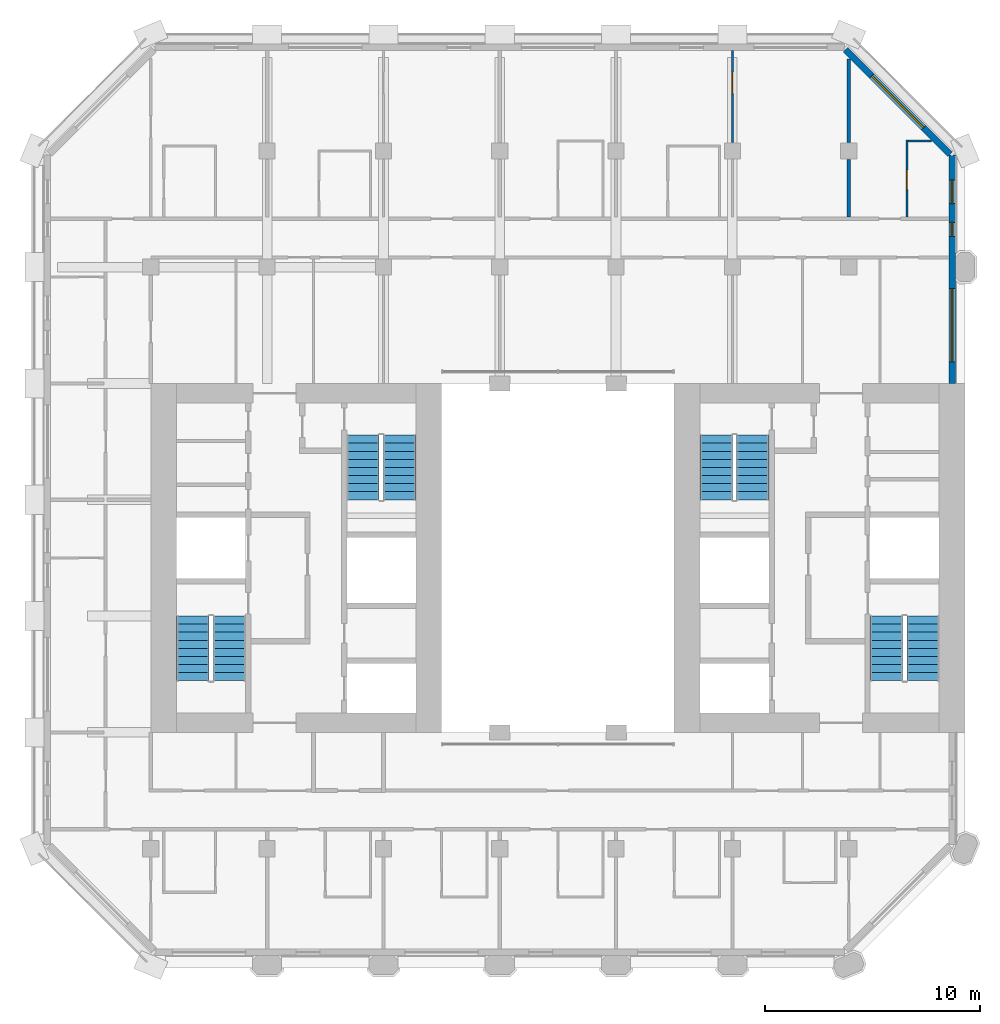
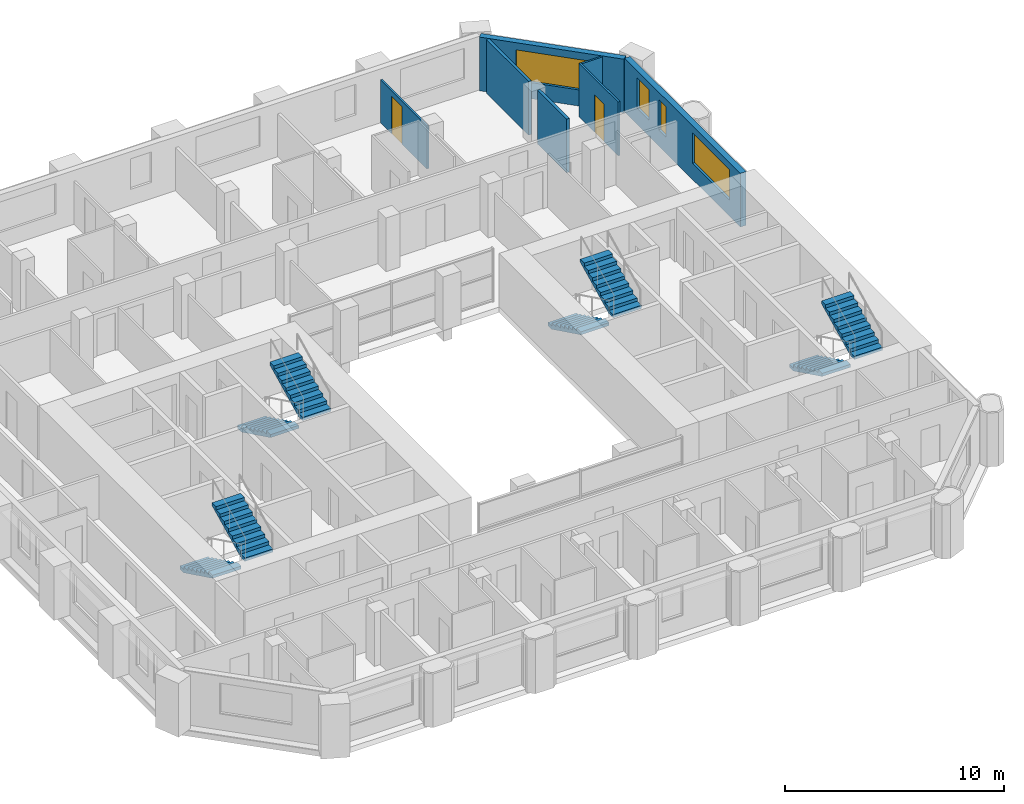
# One storey, part 11 of 14: 8 stair flights, 7 walls, 4 windows, 2 doors, 6 openings, 4 elements without a shape of their own.
"""IFC4 building model written with IfcOpenShell, lengths in metres."""

from ifc_helpers import new_model, si_unit, direction, frame, frame_2d, origin, place, context, subcontext, project, spatial, polyline, rectangle, outline, extrude, material, layer, layer_set, type_object, element, fill, aggregate, save


model = new_model("IFC4")

# Units and contexts
model_context = context("Model", 3, precision=1e-05, world=origin(), true_north=direction((0.0, 1.0)))
body_context = subcontext(model_context, "Body", "Model", "MODEL_VIEW")
ifc_project = project(units=[si_unit("LENGTHUNIT", "METRE"), si_unit("AREAUNIT", "SQUARE_METRE"), si_unit("VOLUMEUNIT", "CUBIC_METRE"), si_unit("PLANEANGLEUNIT", "RADIAN"), si_unit("MASSUNIT", "GRAM", prefix="KILO")], contexts=[model_context])

# Site, building, storey
site_placement = place(None, origin())
site = spatial("IfcSite", under=ifc_project, at=site_placement, CompositionType="ELEMENT")
building_placement = place(site_placement, origin())
building = spatial("IfcBuilding", under=site, at=building_placement, Name="Tabaq Tower and Sports Hall", CompositionType="ELEMENT")
storey_placement = place(building_placement, frame((0.0, 0.0, 213.699951171875)))
storey = spatial("IfcBuildingStorey", under=building, at=storey_placement, Name="L53", CompositionType="ELEMENT", Elevation=213.699951171875)

# Wall, opening, door
ifc_material_1 = material(Name="Gypsum board on steel studs", Category="steel")
ifc_layer_1 = layer(ifc_material_1, 0.10009765625)
ifc_layer_set_1 = layer_set([ifc_layer_1], Name="Partition 100 Gypsum board")
wall_type_1 = type_object("IfcWallType", Name="Partition 100 Gypsum board", PredefinedType="PARTITIONING", material=ifc_layer_set_1)
wall_1_placement = place(storey_placement, frame((40.5, 40.125, 0.0), z_axis=(0.0, 0.0, 1.0), x_axis=(0.0, 1.0, 0.0)))
wall_1 = element("IfcWall", 1, at=wall_1_placement, inside=storey, type_object=wall_type_1, Name="Partition wall L53", PredefinedType="PARTITIONING", context=body_context, shape_type="SweptSolid", body=[
    extrude(rectangle(XDim=3.574951171875, YDim=0.10009765625, at=frame_2d((1.78759765625, 0.0))), origin(), (0.0, 0.0, 1.0), 3.0),
])
opening_1_placement = place(wall_1_placement, frame((1.27490234375, 0.0, 0.0)))
opening_1 = element("IfcOpeningElement", 2, at=opening_1_placement, cuts=wall_1, Name="Opening L53-002", PredefinedType="OPENING", context=body_context, shape_type="SweptSolid", body=[
    extrude(rectangle(XDim=0.89990234375, YDim=2.10009765625, at=frame_2d((0.449951171875, 1.050048828125))), frame((0.0, 0.050048828125, 0.0), z_axis=(0.0, -1.0, 0.0), x_axis=(1.0, 0.0, 0.0)), (0.0, 0.0, 1.0), 0.10009765625),
])
ifc_material_2 = material(Name="Timber leaf in steel frame", Category="steel")
door_type_1 = type_object("IfcDoorType", Name="Internal door 900 right hand", OperationType="SINGLE_SWING_RIGHT", PredefinedType="DOOR", material=ifc_material_2)
door_1_placement = place(opening_1_placement, origin())
door_1 = element("IfcDoor", 3, at=door_1_placement, inside=storey, type_object=door_type_1, Name="Internal door L53-002", OperationType="SINGLE_SWING_RIGHT", OverallHeight=2.10009765625, OverallWidth=0.89990234375, PredefinedType="DOOR", context=body_context, shape_type="SweptSolid", body=[
    extrude(rectangle(XDim=0.89990234375, YDim=2.10009765625, at=frame_2d((0.449951171875, 1.050048828125))), frame((0.0, 0.02490234375, 0.0), z_axis=(0.0, -1.0, 0.0), x_axis=(1.0, 0.0, 0.0)), (0.0, 0.0, 1.0), 0.050048828125),
])
fill(opening_1, door_1)

# Wall
wall_2_placement = place(storey_placement, frame((40.550048828125, 43.64990234375, 0.0), z_axis=(0.0, 0.0, 1.0), x_axis=(1.0, 0.0, 0.0)))
element("IfcWall", 4, at=wall_2_placement, inside=storey, type_object=wall_type_1, Name="Partition wall L53", PredefinedType="PARTITIONING", context=body_context, shape_type="SweptSolid", body=[
    extrude(rectangle(XDim=1.087890625, YDim=0.10009765625, at=frame_2d((0.5439453125, 0.0))), origin(), (0.0, 0.0, 1.0), 3.0),
])

# Wall, opening, door
wall_3_placement = place(storey_placement, frame((32.39990234375, 43.594970703125, 0.0), z_axis=(0.0, 0.0, 1.0), x_axis=(0.0, 1.0, 0.0)))
wall_3 = element("IfcWall", 5, at=wall_3_placement, inside=storey, type_object=wall_type_1, Name="Partition wall L53", PredefinedType="PARTITIONING", context=body_context, shape_type="SweptSolid", body=[
    extrude(rectangle(XDim=4.254150390625, YDim=0.10009765625, at=frame_2d((2.126953125, 0.0))), origin(), (0.0, 0.0, 1.0), 2.400146484375),
])
opening_2_placement = place(wall_3_placement, frame((2.257080078125, 0.0, 0.0)))
opening_2 = element("IfcOpeningElement", 6, at=opening_2_placement, cuts=wall_3, Name="Opening L53-029", PredefinedType="OPENING", context=body_context, shape_type="SweptSolid", body=[
    extrude(rectangle(XDim=1.0, YDim=2.10009765625, at=frame_2d((0.5, 1.050048828125))), frame((0.0, 0.050048828125, 0.0), z_axis=(0.0, -1.0, 0.0), x_axis=(1.0, 0.0, 0.0)), (0.0, 0.0, 1.0), 0.10009765625),
])
ifc_material_3 = material(Name="Timber leaf in steel frame", Category="steel")
door_type_2 = type_object("IfcDoorType", Name="Internal door 1000 right hand", OperationType="SINGLE_SWING_RIGHT", PredefinedType="DOOR", material=ifc_material_3)
door_2_placement = place(opening_2_placement, origin())
door_2 = element("IfcDoor", 7, at=door_2_placement, inside=storey, type_object=door_type_2, Name="Internal door L53-029", OperationType="SINGLE_SWING_RIGHT", OverallHeight=2.10009765625, OverallWidth=1.0, PredefinedType="DOOR", context=body_context, shape_type="SweptSolid", body=[
    extrude(rectangle(XDim=1.0, YDim=2.10009765625, at=frame_2d((0.5, 1.050048828125))), frame((0.0, 0.02490234375, 0.0), z_axis=(0.0, -1.0, 0.0), x_axis=(1.0, 0.0, 0.0)), (0.0, 0.0, 1.0), 0.050048828125),
])
fill(opening_2, door_2)

# Walls
ifc_material_4 = material(Name="Blockwork", Category="masonry")
ifc_layer_2 = layer(ifc_material_4, 0.14990234375)
ifc_layer_set_2 = layer_set([ifc_layer_2], Name="Separating wall 150 Blockwork")
wall_type_2 = type_object("IfcWallType", Name="Separating wall 150 Blockwork", PredefinedType="PARTITIONING", material=ifc_layer_set_2)
wall_4_placement = place(storey_placement, frame((37.800048828125, 47.462890625, 0.0), z_axis=(0.0, 0.0, 1.0), x_axis=(0.0, -1.0, 0.0)))
element("IfcWall", 8, at=wall_4_placement, inside=storey, type_object=wall_type_2, Name="Separating wall L53", PredefinedType="PARTITIONING", context=body_context, shape_type="SweptSolid", body=[
    extrude(rectangle(XDim=3.867919921875, YDim=0.14990234375, at=frame_2d((1.93408203125, 0.0))), origin(), (0.0, 0.0, 1.0), 3.0),
])
wall_5_placement = place(storey_placement, frame((37.800048828125, 42.804931640625, 0.0), z_axis=(0.0, 0.0, 1.0), x_axis=(0.0, -1.0, 0.0)))
element("IfcWall", 9, at=wall_5_placement, inside=storey, type_object=wall_type_2, Name="Separating wall L53", PredefinedType="PARTITIONING", context=body_context, shape_type="SweptSolid", body=[
    extrude(rectangle(XDim=2.679931640625, YDim=0.14990234375, at=frame_2d((1.33984375, 0.0))), origin(), (0.0, 0.0, 1.0), 3.0),
])

# Wall, openings, windows
ifc_material_5 = material(Name="White precast concrete C60/75", Category="concrete")
ifc_layer_3 = layer(ifc_material_5, 0.300048828125)
ifc_layer_set_3 = layer_set([ifc_layer_3], Name="White precast concrete C60/75 external wall 300")
wall_type_3 = type_object("IfcWallType", Name="White precast concrete C60/75 external wall 300", PredefinedType="SOLIDWALL", material=ifc_layer_set_3)
wall_6_placement = place(storey_placement, frame((42.60009765625, 32.39990234375, 0.0), z_axis=(0.0, 0.0, 1.0), x_axis=(0.0, 1.0, 0.0)))
wall_6 = element("IfcWall", 10, at=wall_6_placement, inside=storey, type_object=wall_type_3, Name="External Wall L53 E", PredefinedType="SOLIDWALL", context=body_context, shape_type="SweptSolid", body=[
    extrude(rectangle(XDim=10.61376953125, YDim=0.300048828125, at=frame_2d((5.306884765625, 0.0))), origin(), (0.0, 0.0, 1.0), 3.0),
])
opening_3_placement = place(wall_6_placement, frame((1.0, 0.0, 0.89990234375)))
opening_3 = element("IfcOpeningElement", 11, at=opening_3_placement, cuts=wall_6, Name="Opening W1A", PredefinedType="OPENING", context=body_context, shape_type="SweptSolid", body=[
    extrude(rectangle(XDim=3.39990234375, YDim=1.699951171875, at=frame_2d((1.699951171875, 0.85009765625))), frame((0.0, 0.16015625, 0.0), z_axis=(0.0, -1.0, 0.0), x_axis=(1.0, 0.0, 0.0)), (0.0, 0.0, 1.0), 0.320068359375),
])
opening_4_placement = place(wall_6_placement, frame((6.824951171875, 0.0, 0.89990234375)))
opening_4 = element("IfcOpeningElement", 12, at=opening_4_placement, cuts=wall_6, Name="Opening W1C", PredefinedType="OPENING", context=body_context, shape_type="SweptSolid", body=[
    extrude(rectangle(XDim=0.64990234375, YDim=1.699951171875, at=frame_2d((0.324951171875, 0.85009765625))), frame((0.0, 0.16015625, 0.0), z_axis=(0.0, -1.0, 0.0), x_axis=(1.0, 0.0, 0.0)), (0.0, 0.0, 1.0), 0.320068359375),
])
opening_5_placement = place(wall_6_placement, frame((8.35009765625, 0.0, 0.89990234375)))
opening_5 = element("IfcOpeningElement", 13, at=opening_5_placement, cuts=wall_6, Name="Opening W1B", PredefinedType="OPENING", context=body_context, shape_type="SweptSolid", body=[
    extrude(rectangle(XDim=1.10009765625, YDim=1.699951171875, at=frame_2d((0.550048828125, 0.85009765625))), frame((0.0, 0.16015625, 0.0), z_axis=(0.0, -1.0, 0.0), x_axis=(1.0, 0.0, 0.0)), (0.0, 0.0, 1.0), 0.320068359375),
])
ifc_material_6 = material(Name="Aluminium framed clear glazing", Category="aluminium")
window_type_1 = type_object("IfcWindowType", Name="Window W1A", PartitioningType="SINGLE_PANEL", PredefinedType="WINDOW", material=ifc_material_6)
window_1_placement = place(opening_3_placement, origin())
window_1 = element("IfcWindow", 14, at=window_1_placement, inside=storey, type_object=window_type_1, Name="Window W1A L53", OverallHeight=1.699951171875, OverallWidth=3.39990234375, PartitioningType="SINGLE_PANEL", PredefinedType="WINDOW", context=body_context, shape_type="SweptSolid", body=[
    extrude(rectangle(XDim=3.39990234375, YDim=1.699951171875, at=frame_2d((1.699951171875, 0.85009765625))), frame((0.0, 0.030029296875, 0.0), z_axis=(0.0, -1.0, 0.0), x_axis=(1.0, 0.0, 0.0)), (0.0, 0.0, 1.0), 0.06005859375),
])
fill(opening_3, window_1)
ifc_material_7 = material(Name="Aluminium framed clear glazing", Category="aluminium")
window_type_2 = type_object("IfcWindowType", Name="Window W1B", PartitioningType="SINGLE_PANEL", PredefinedType="WINDOW", material=ifc_material_7)
window_2_placement = place(opening_5_placement, origin())
window_2 = element("IfcWindow", 15, at=window_2_placement, inside=storey, type_object=window_type_2, Name="Window W1B L53", OverallHeight=1.699951171875, OverallWidth=1.10009765625, PartitioningType="SINGLE_PANEL", PredefinedType="WINDOW", context=body_context, shape_type="SweptSolid", body=[
    extrude(rectangle(XDim=1.10009765625, YDim=1.699951171875, at=frame_2d((0.550048828125, 0.85009765625))), frame((0.0, 0.030029296875, 0.0), z_axis=(0.0, -1.0, 0.0), x_axis=(1.0, 0.0, 0.0)), (0.0, 0.0, 1.0), 0.06005859375),
])
fill(opening_5, window_2)
ifc_material_8 = material(Name="Aluminium framed clear glazing", Category="aluminium")
window_type_3 = type_object("IfcWindowType", Name="Window W1C", PartitioningType="SINGLE_PANEL", PredefinedType="WINDOW", material=ifc_material_8)
window_3_placement = place(opening_4_placement, origin())
window_3 = element("IfcWindow", 16, at=window_3_placement, inside=storey, type_object=window_type_3, Name="Window W1C L53", OverallHeight=1.699951171875, OverallWidth=0.64990234375, PartitioningType="SINGLE_PANEL", PredefinedType="WINDOW", context=body_context, shape_type="SweptSolid", body=[
    extrude(rectangle(XDim=0.64990234375, YDim=1.699951171875, at=frame_2d((0.324951171875, 0.85009765625))), frame((0.0, 0.030029296875, 0.0), z_axis=(0.0, -1.0, 0.0), x_axis=(1.0, 0.0, 0.0)), (0.0, 0.0, 1.0), 0.06005859375),
])
fill(opening_4, window_3)

# Wall, opening, window
wall_7_placement = place(storey_placement, frame((42.5009765625, 43.050537109375, 0.0), z_axis=(0.0, 0.0, 1.0), x_axis=(-0.707106781187, 0.707106781187, 0.0)))
wall_7 = element("IfcWall", 17, at=wall_7_placement, inside=storey, type_object=wall_type_3, Name="External Wall L53 NE", PredefinedType="SOLIDWALL", context=body_context, shape_type="SweptSolid", body=[
    extrude(rectangle(XDim=6.85986328125, YDim=0.300048828125, at=frame_2d((3.429931640625, 0.0))), origin(), (0.0, 0.0, 1.0), 3.0),
])
opening_6_placement = place(wall_7_placement, frame((1.729736328125, 0.0, 0.89990234375)))
opening_6 = element("IfcOpeningElement", 18, at=opening_6_placement, cuts=wall_7, Name="Opening W1A", PredefinedType="OPENING", context=body_context, shape_type="SweptSolid", body=[
    extrude(rectangle(XDim=3.39990234375, YDim=1.699951171875, at=frame_2d((1.699951171875, 0.85009765625))), frame((0.0, 0.16015625, 0.0), z_axis=(0.0, -1.0, 0.0), x_axis=(1.0, 0.0, 0.0)), (0.0, 0.0, 1.0), 0.320068359375),
])
window_4_placement = place(opening_6_placement, origin())
window_4 = element("IfcWindow", 19, at=window_4_placement, inside=storey, type_object=window_type_1, Name="Window W1A L53", OverallHeight=1.699951171875, OverallWidth=3.39990234375, PartitioningType="SINGLE_PANEL", PredefinedType="WINDOW", context=body_context, shape_type="SweptSolid", body=[
    extrude(rectangle(XDim=3.39990234375, YDim=1.699951171875, at=frame_2d((1.699951171875, 0.85009765625))), frame((0.0, 0.030029296875, 0.0), z_axis=(0.0, -1.0, 0.0), x_axis=(1.0, 0.0, 0.0)), (0.0, 0.0, 1.0), 0.06005859375),
])
fill(opening_6, window_4)

# Stair, stair flights
ifc_material_9 = material(Name="Concrete C40/50", Category="concrete")
stair_type = type_object("IfcStairType", Name="Exit stair", PredefinedType="HALF_TURN_STAIR", material=ifc_material_9)
stair_1_placement = place(storey_placement, origin())
stair_1 = element("IfcStair", 20, at=stair_1_placement, inside=storey, type_object=stair_type, Name="L53 Exit stair ST1", PredefinedType="HALF_TURN_STAIR")
ifc_material_10 = material(Name="Concrete C40/50", Category="concrete")
stair_flight_type = type_object("IfcStairFlightType", Name="Exit stair flight", PredefinedType="STRAIGHT", material=ifc_material_10)
stair_flight_1_placement = place(storey_placement, frame((7.35009765625, 21.60009765625, 0.0), z_axis=(0.0, 0.0, 1.0), x_axis=(0.0, -1.0, 0.0)))
stair_flight_1 = element("IfcStairFlight", 21, at=stair_flight_1_placement, type_object=stair_flight_type, Name="ST1 flight 1", NumberOfRisers=9, NumberOfTreads=8, PredefinedType="STRAIGHT", RiserHeight=0.183333333, TreadLength=0.375, context=body_context, shape_type="SweptSolid", body=[
    extrude(outline(polyline([(0.0, 0.0), (0.0, 0.183349609375), (0.375, 0.183349609375), (0.375, 0.36669921875), (0.75, 0.36669921875), (0.75, 0.550048828125), (1.125, 0.550048828125), (1.125, 0.7333984375), (1.5, 0.7333984375), (1.5, 0.916748046875), (1.875, 0.916748046875), (1.875, 1.10009765625), (2.25, 1.10009765625), (2.25, 1.283447265625), (2.625, 1.283447265625), (2.625, 1.466552734375), (3.0, 1.466552734375), (3.0, 1.64990234375), (3.0, 1.2998046875), (0.34130859375, 0.0), (0.0, 0.0)])), frame((0.0, 0.75, 0.0), z_axis=(0.0, -1.0, 0.0), x_axis=(1.0, 0.0, 0.0)), (0.0, 0.0, 1.0), 1.5),
])
stair_flight_2_placement = place(storey_placement, frame((9.050048828125, 18.60009765625, 1.650146484375), z_axis=(0.0, 0.0, 1.0), x_axis=(0.0, 1.0, 0.0)))
stair_flight_2 = element("IfcStairFlight", 22, at=stair_flight_2_placement, type_object=stair_flight_type, Name="ST1 flight 2", NumberOfRisers=9, NumberOfTreads=8, PredefinedType="STRAIGHT", RiserHeight=0.183333333, TreadLength=0.375, context=body_context, shape_type="SweptSolid", body=[
    extrude(outline(polyline([(0.0, 0.0), (0.0, 0.183349609375), (0.375, 0.183349609375), (0.375, 0.36669921875), (0.75, 0.36669921875), (0.75, 0.550048828125), (1.125, 0.550048828125), (1.125, 0.7333984375), (1.5, 0.7333984375), (1.5, 0.916748046875), (1.875, 0.916748046875), (1.875, 1.10009765625), (2.25, 1.10009765625), (2.25, 1.283447265625), (2.625, 1.283447265625), (2.625, 1.466552734375), (3.0, 1.466552734375), (3.0, 1.64990234375), (3.0, 1.2998046875), (0.34130859375, 0.0), (0.0, 0.0)])), frame((0.0, 0.75, 0.0), z_axis=(0.0, -1.0, 0.0), x_axis=(1.0, 0.0, 0.0)), (0.0, 0.0, 1.0), 1.5),
])
aggregate(stair_1, [stair_flight_1, stair_flight_2])

stair_2_placement = place(storey_placement, origin())
stair_2 = element("IfcStair", 23, at=stair_2_placement, inside=storey, type_object=stair_type, Name="L53 Exit stair ST2", PredefinedType="HALF_TURN_STAIR")
stair_flight_3_placement = place(storey_placement, frame((15.25, 30.0, 0.0), z_axis=(0.0, 0.0, 1.0), x_axis=(0.0, -1.0, 0.0)))
stair_flight_3 = element("IfcStairFlight", 24, at=stair_flight_3_placement, type_object=stair_flight_type, Name="ST2 flight 1", NumberOfRisers=9, NumberOfTreads=8, PredefinedType="STRAIGHT", RiserHeight=0.183333333, TreadLength=0.375, context=body_context, shape_type="SweptSolid", body=[
    extrude(outline(polyline([(0.0, 0.0), (0.0, 0.183349609375), (0.375, 0.183349609375), (0.375, 0.36669921875), (0.75, 0.36669921875), (0.75, 0.550048828125), (1.125, 0.550048828125), (1.125, 0.7333984375), (1.5, 0.7333984375), (1.5, 0.916748046875), (1.875, 0.916748046875), (1.875, 1.10009765625), (2.25, 1.10009765625), (2.25, 1.283447265625), (2.625, 1.283447265625), (2.625, 1.466552734375), (3.0, 1.466552734375), (3.0, 1.64990234375), (3.0, 1.2998046875), (0.34130859375, 0.0), (0.0, 0.0)])), frame((0.0, 0.75, 0.0), z_axis=(0.0, -1.0, 0.0), x_axis=(1.0, 0.0, 0.0)), (0.0, 0.0, 1.0), 1.5),
])
stair_flight_4_placement = place(storey_placement, frame((16.949951171875, 27.0, 1.650146484375), z_axis=(0.0, 0.0, 1.0), x_axis=(0.0, 1.0, 0.0)))
stair_flight_4 = element("IfcStairFlight", 25, at=stair_flight_4_placement, type_object=stair_flight_type, Name="ST2 flight 2", NumberOfRisers=9, NumberOfTreads=8, PredefinedType="STRAIGHT", RiserHeight=0.183333333, TreadLength=0.375, context=body_context, shape_type="SweptSolid", body=[
    extrude(outline(polyline([(0.0, 0.0), (0.0, 0.183349609375), (0.375, 0.183349609375), (0.375, 0.36669921875), (0.75, 0.36669921875), (0.75, 0.550048828125), (1.125, 0.550048828125), (1.125, 0.7333984375), (1.5, 0.7333984375), (1.5, 0.916748046875), (1.875, 0.916748046875), (1.875, 1.10009765625), (2.25, 1.10009765625), (2.25, 1.283447265625), (2.625, 1.283447265625), (2.625, 1.466552734375), (3.0, 1.466552734375), (3.0, 1.64990234375), (3.0, 1.2998046875), (0.34130859375, 0.0), (0.0, 0.0)])), frame((0.0, 0.75, 0.0), z_axis=(0.0, -1.0, 0.0), x_axis=(1.0, 0.0, 0.0)), (0.0, 0.0, 1.0), 1.5),
])
aggregate(stair_2, [stair_flight_3, stair_flight_4])

stair_3_placement = place(storey_placement, origin())
stair_3 = element("IfcStair", 26, at=stair_3_placement, inside=storey, type_object=stair_type, Name="L53 Exit stair ST3", PredefinedType="HALF_TURN_STAIR")
stair_flight_5_placement = place(storey_placement, frame((39.550048828125, 21.60009765625, 0.0), z_axis=(0.0, 0.0, 1.0), x_axis=(0.0, -1.0, 0.0)))
stair_flight_5 = element("IfcStairFlight", 27, at=stair_flight_5_placement, type_object=stair_flight_type, Name="ST3 flight 1", NumberOfRisers=9, NumberOfTreads=8, PredefinedType="STRAIGHT", RiserHeight=0.183333333, TreadLength=0.375, context=body_context, shape_type="SweptSolid", body=[
    extrude(outline(polyline([(0.0, 0.0), (0.0, 0.183349609375), (0.375, 0.183349609375), (0.375, 0.36669921875), (0.75, 0.36669921875), (0.75, 0.550048828125), (1.125, 0.550048828125), (1.125, 0.7333984375), (1.5, 0.7333984375), (1.5, 0.916748046875), (1.875, 0.916748046875), (1.875, 1.10009765625), (2.25, 1.10009765625), (2.25, 1.283447265625), (2.625, 1.283447265625), (2.625, 1.466552734375), (3.0, 1.466552734375), (3.0, 1.64990234375), (3.0, 1.2998046875), (0.34130859375, 0.0), (0.0, 0.0)])), frame((0.0, 0.75, 0.0), z_axis=(0.0, -1.0, 0.0), x_axis=(1.0, 0.0, 0.0)), (0.0, 0.0, 1.0), 1.5),
])
stair_flight_6_placement = place(storey_placement, frame((41.25, 18.60009765625, 1.650146484375), z_axis=(0.0, 0.0, 1.0), x_axis=(0.0, 1.0, 0.0)))
stair_flight_6 = element("IfcStairFlight", 28, at=stair_flight_6_placement, type_object=stair_flight_type, Name="ST3 flight 2", NumberOfRisers=9, NumberOfTreads=8, PredefinedType="STRAIGHT", RiserHeight=0.183333333, TreadLength=0.375, context=body_context, shape_type="SweptSolid", body=[
    extrude(outline(polyline([(0.0, 0.0), (0.0, 0.183349609375), (0.375, 0.183349609375), (0.375, 0.36669921875), (0.75, 0.36669921875), (0.75, 0.550048828125), (1.125, 0.550048828125), (1.125, 0.7333984375), (1.5, 0.7333984375), (1.5, 0.916748046875), (1.875, 0.916748046875), (1.875, 1.10009765625), (2.25, 1.10009765625), (2.25, 1.283447265625), (2.625, 1.283447265625), (2.625, 1.466552734375), (3.0, 1.466552734375), (3.0, 1.64990234375), (3.0, 1.2998046875), (0.34130859375, 0.0), (0.0, 0.0)])), frame((0.0, 0.75, 0.0), z_axis=(0.0, -1.0, 0.0), x_axis=(1.0, 0.0, 0.0)), (0.0, 0.0, 1.0), 1.5),
])
aggregate(stair_3, [stair_flight_5, stair_flight_6])

stair_4_placement = place(storey_placement, origin())
stair_4 = element("IfcStair", 29, at=stair_4_placement, inside=storey, type_object=stair_type, Name="L53 Exit stair ST4", PredefinedType="HALF_TURN_STAIR")
stair_flight_7_placement = place(storey_placement, frame((31.64990234375, 30.0, 0.0), z_axis=(0.0, 0.0, 1.0), x_axis=(0.0, -1.0, 0.0)))
stair_flight_7 = element("IfcStairFlight", 30, at=stair_flight_7_placement, type_object=stair_flight_type, Name="ST4 flight 1", NumberOfRisers=9, NumberOfTreads=8, PredefinedType="STRAIGHT", RiserHeight=0.183333333, TreadLength=0.375, context=body_context, shape_type="SweptSolid", body=[
    extrude(outline(polyline([(0.0, 0.0), (0.0, 0.183349609375), (0.375, 0.183349609375), (0.375, 0.36669921875), (0.75, 0.36669921875), (0.75, 0.550048828125), (1.125, 0.550048828125), (1.125, 0.7333984375), (1.5, 0.7333984375), (1.5, 0.916748046875), (1.875, 0.916748046875), (1.875, 1.10009765625), (2.25, 1.10009765625), (2.25, 1.283447265625), (2.625, 1.283447265625), (2.625, 1.466552734375), (3.0, 1.466552734375), (3.0, 1.64990234375), (3.0, 1.2998046875), (0.34130859375, 0.0), (0.0, 0.0)])), frame((0.0, 0.75, 0.0), z_axis=(0.0, -1.0, 0.0), x_axis=(1.0, 0.0, 0.0)), (0.0, 0.0, 1.0), 1.5),
])
stair_flight_8_placement = place(storey_placement, frame((33.35009765625, 27.0, 1.650146484375), z_axis=(0.0, 0.0, 1.0), x_axis=(0.0, 1.0, 0.0)))
stair_flight_8 = element("IfcStairFlight", 31, at=stair_flight_8_placement, type_object=stair_flight_type, Name="ST4 flight 2", NumberOfRisers=9, NumberOfTreads=8, PredefinedType="STRAIGHT", RiserHeight=0.183333333, TreadLength=0.375, context=body_context, shape_type="SweptSolid", body=[
    extrude(outline(polyline([(0.0, 0.0), (0.0, 0.183349609375), (0.375, 0.183349609375), (0.375, 0.36669921875), (0.75, 0.36669921875), (0.75, 0.550048828125), (1.125, 0.550048828125), (1.125, 0.7333984375), (1.5, 0.7333984375), (1.5, 0.916748046875), (1.875, 0.916748046875), (1.875, 1.10009765625), (2.25, 1.10009765625), (2.25, 1.283447265625), (2.625, 1.283447265625), (2.625, 1.466552734375), (3.0, 1.466552734375), (3.0, 1.64990234375), (3.0, 1.2998046875), (0.34130859375, 0.0), (0.0, 0.0)])), frame((0.0, 0.75, 0.0), z_axis=(0.0, -1.0, 0.0), x_axis=(1.0, 0.0, 0.0)), (0.0, 0.0, 1.0), 1.5),
])
aggregate(stair_4, [stair_flight_7, stair_flight_8])

save(model, "model.ifc")
